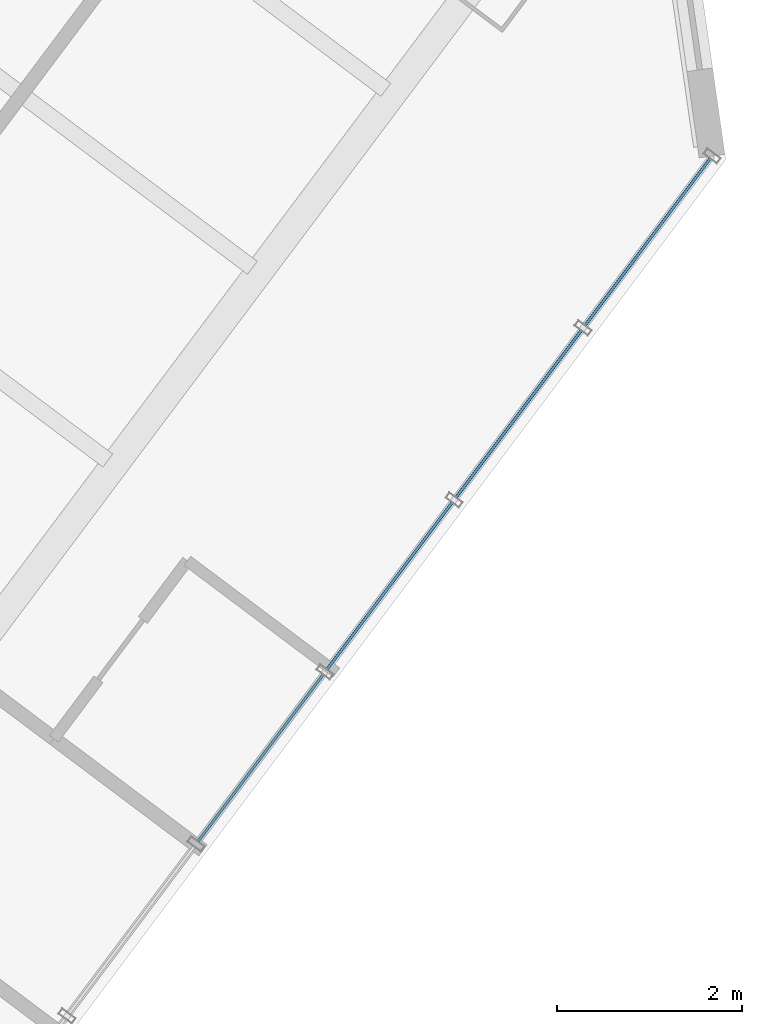
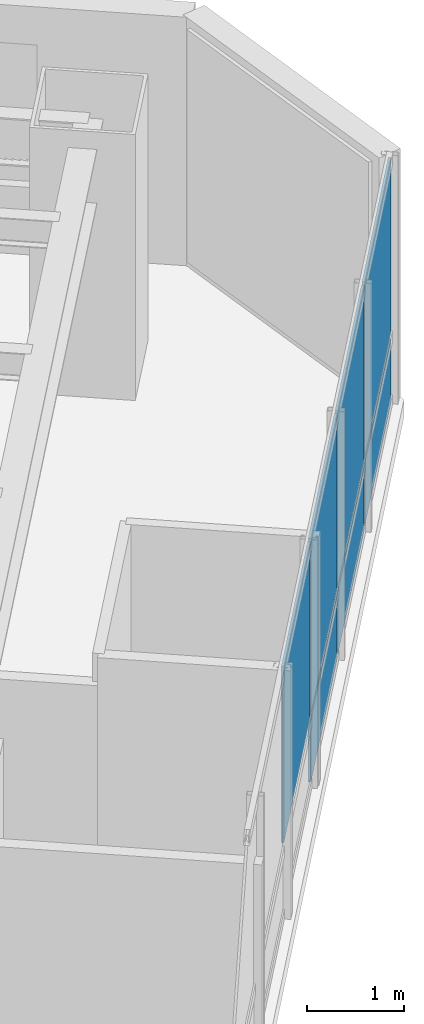
# One storey, part 21 of 33: 7 plates, 1 element without a shape of its own.
"""IFC4 building model written with IfcOpenShell, lengths in metres."""

from ifc_helpers import new_model, si_unit, direction, frame, origin, origin_2d, place, context, subcontext, project, spatial, rectangle, extrude, material, layer, layer_set, type_object, element, aggregate, save


model = new_model("IFC4")

# Units and contexts
model_context = context("Model", 3, precision=1e-05, world=origin(), true_north=direction((0.0, 1.0)))
body_context = subcontext(model_context, "Body", "Model", "MODEL_VIEW")
ifc_project = project(units=[si_unit("LENGTHUNIT", "METRE"), si_unit("AREAUNIT", "SQUARE_METRE"), si_unit("VOLUMEUNIT", "CUBIC_METRE"), si_unit("PLANEANGLEUNIT", "RADIAN"), si_unit("MASSUNIT", "GRAM", prefix="KILO")], contexts=[model_context])

# Site, building, storey
site_placement = place(None, origin())
site = spatial("IfcSite", under=ifc_project, at=site_placement, CompositionType="ELEMENT")
building_placement = place(site_placement, origin())
building = spatial("IfcBuilding", under=site, at=building_placement, Name="Hatsunagi Terrace Concourse", CompositionType="ELEMENT")
storey_placement = place(building_placement, frame((0.0, 0.0, 53.35009765625)))
storey = spatial("IfcBuildingStorey", under=building, at=storey_placement, Name="L13", CompositionType="ELEMENT", Elevation=53.35009765625)

# Curtain wall, plates
ifc_material_1 = material(Name="Anodised Aluminium Alloy 6063-T5", Category="aluminium")
ifc_layer_1 = layer(ifc_material_1, 0.199951171875)
ifc_layer_set_1 = layer_set([ifc_layer_1], Name="HotelFacade_CW02")
curtain_wall_type = type_object("IfcCurtainWallType", Name="HotelFacade_CW02", PredefinedType="NOTDEFINED", material=ifc_layer_set_1)
curtain_wall_placement = place(storey_placement, origin())
curtain_wall = element("IfcCurtainWall", 1, at=curtain_wall_placement, inside=storey, type_object=curtain_wall_type, Name="Unitised Curtain Wall CW-02 CW-L13-03", PredefinedType="NOTDEFINED")
ifc_material_2 = material(Name="Warm Terracotta Ceramic Spandrel Panel", Category="masonry")
ifc_layer_2 = layer(ifc_material_2, 0.031982421875)
ifc_layer_set_2 = layer_set([ifc_layer_2], Name="CurtainWallSpandrelPanel_32")
plate_type_1 = type_object("IfcPlateType", Name="CurtainWallSpandrelPanel_32", PredefinedType="SHEET", material=ifc_layer_set_2)
plate_1_placement = place(storey_placement, frame((68.39697265625, 18.72998046875, 0.02978515625), z_axis=(0.0, 0.0, 1.0), x_axis=(-0.599969314634, -0.800023013105, 0.0)))
plate_1 = element("IfcPlate", 2, at=plate_1_placement, type_object=plate_type_1, Name="Terracotta Spandrel Panel SPN-01", PredefinedType="SHEET", context=body_context, shape_type="SweptSolid", body=[
    extrude(rectangle(XDim=2.264892578125, YDim=0.031982421875, at=origin_2d()), origin(), (0.0, 0.0, 1.0), 0.7900390625),
])
plate_2_placement = place(storey_placement, frame((67.0048828125, 16.873046875, 0.02978515625), z_axis=(0.0, 0.0, 1.0), x_axis=(-0.599969314634, -0.800023013105, 0.0)))
plate_2 = element("IfcPlate", 3, at=plate_2_placement, type_object=plate_type_1, Name="Terracotta Spandrel Panel SPN-01", PredefinedType="SHEET", context=body_context, shape_type="SweptSolid", body=[
    extrude(rectangle(XDim=2.264892578125, YDim=0.031982421875, at=origin_2d()), origin(), (0.0, 0.0, 1.0), 0.7900390625),
])
plate_3_placement = place(storey_placement, frame((65.612060546875, 15.01708984375, 0.02978515625), z_axis=(0.0, 0.0, 1.0), x_axis=(-0.599969314634, -0.800023013105, 0.0)))
plate_3 = element("IfcPlate", 4, at=plate_3_placement, type_object=plate_type_1, Name="Terracotta Spandrel Panel SPN-01", PredefinedType="SHEET", context=body_context, shape_type="SweptSolid", body=[
    extrude(rectangle(XDim=2.264892578125, YDim=0.031982421875, at=origin_2d()), origin(), (0.0, 0.0, 1.0), 0.7900390625),
])
ifc_material_3 = material(Name="Low-E Double Insulating Glass 28mm", Category="glass")
ifc_layer_3 = layer(ifc_material_3, 0.028076171875)
ifc_layer_set_3 = layer_set([ifc_layer_3], Name="CurtainWallVisionGlass_28")
plate_type_2 = type_object("IfcPlateType", Name="CurtainWallVisionGlass_28", PredefinedType="CURTAIN_PANEL", material=ifc_layer_set_3)
plate_4_placement = place(storey_placement, frame((68.39697265625, 18.72998046875, 0.8798828125), z_axis=(0.0, 0.0, 1.0), x_axis=(-0.599969314634, -0.800023013105, 0.0)))
plate_4 = element("IfcPlate", 5, at=plate_4_placement, type_object=plate_type_2, Name="Low-E Vision Glass Panel GLZ-01", PredefinedType="CURTAIN_PANEL", context=body_context, shape_type="SweptSolid", body=[
    extrude(rectangle(XDim=2.264892578125, YDim=0.028076171875, at=origin_2d()), origin(), (0.0, 0.0, 1.0), 2.219970703125),
])
plate_5_placement = place(storey_placement, frame((67.0048828125, 16.873046875, 0.8798828125), z_axis=(0.0, 0.0, 1.0), x_axis=(-0.599969314634, -0.800023013105, 0.0)))
plate_5 = element("IfcPlate", 6, at=plate_5_placement, type_object=plate_type_2, Name="Low-E Vision Glass Panel GLZ-01", PredefinedType="CURTAIN_PANEL", context=body_context, shape_type="SweptSolid", body=[
    extrude(rectangle(XDim=2.264892578125, YDim=0.028076171875, at=origin_2d()), origin(), (0.0, 0.0, 1.0), 2.219970703125),
])
plate_6_placement = place(storey_placement, frame((65.612060546875, 15.01708984375, 0.8798828125), z_axis=(0.0, 0.0, 1.0), x_axis=(-0.599969314634, -0.800023013105, 0.0)))
plate_6 = element("IfcPlate", 7, at=plate_6_placement, type_object=plate_type_2, Name="Low-E Vision Glass Panel GLZ-01", PredefinedType="CURTAIN_PANEL", context=body_context, shape_type="SweptSolid", body=[
    extrude(rectangle(XDim=2.264892578125, YDim=0.028076171875, at=origin_2d()), origin(), (0.0, 0.0, 1.0), 2.219970703125),
])
plate_7_placement = place(storey_placement, frame((64.219970703125, 13.159912109375, 0.8798828125), z_axis=(0.0, 0.0, 1.0), x_axis=(-0.599969314634, -0.800023013105, 0.0)))
plate_7 = element("IfcPlate", 8, at=plate_7_placement, type_object=plate_type_2, Name="Low-E Vision Glass Panel GLZ-01", PredefinedType="CURTAIN_PANEL", context=body_context, shape_type="SweptSolid", body=[
    extrude(rectangle(XDim=2.264892578125, YDim=0.028076171875, at=origin_2d()), origin(), (0.0, 0.0, 1.0), 2.219970703125),
])
aggregate(curtain_wall, [plate_1, plate_4, plate_2, plate_5, plate_3, plate_6, plate_7])

save(model, "model.ifc")
